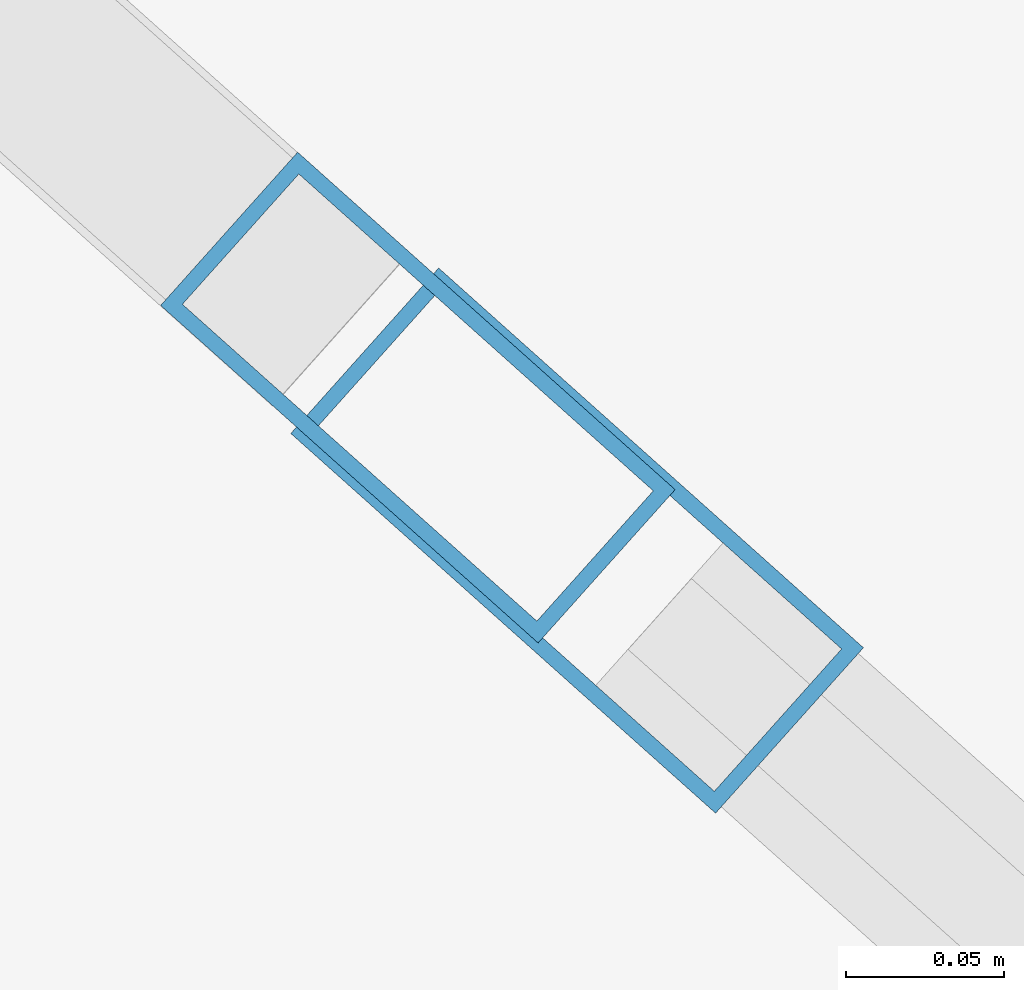
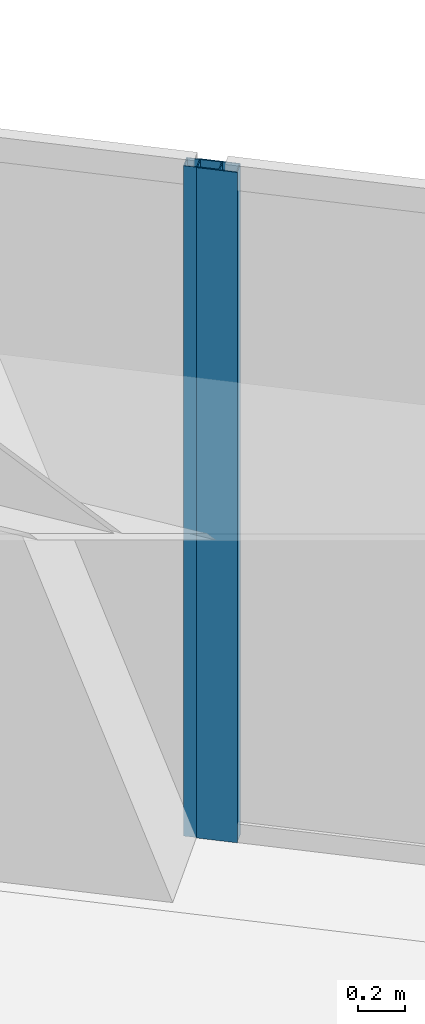
# One storey, part 10 of 24: 2 members, 2 elements without a shape of their own.
"""IFC4 building model written with IfcOpenShell, lengths in metres."""

from ifc_helpers import new_model, si_unit, direction, frame, origin, origin_2d, place, context, subcontext, project, spatial, hollow_rectangle, extrude, material, layer, layer_set, material_profile, profile_set, type_object, element, aggregate, save


model = new_model("IFC4")

# Units and contexts
model_context = context("Model", 3, precision=1e-05, world=origin(), true_north=direction((0.0, 1.0)))
body_context = subcontext(model_context, "Body", "Model", "MODEL_VIEW")
ifc_project = project(units=[si_unit("LENGTHUNIT", "METRE"), si_unit("AREAUNIT", "SQUARE_METRE"), si_unit("VOLUMEUNIT", "CUBIC_METRE"), si_unit("PLANEANGLEUNIT", "RADIAN"), si_unit("MASSUNIT", "GRAM", prefix="KILO")], contexts=[model_context])

# Site, building, storey
site_placement = place(None, origin())
site = spatial("IfcSite", under=ifc_project, at=site_placement, CompositionType="ELEMENT")
building_placement = place(site_placement, origin())
building = spatial("IfcBuilding", under=site, at=building_placement, Name="Qianvela Tower", CompositionType="ELEMENT")
storey_placement = place(building_placement, frame((0.0, 0.0, 71.0)))
storey = spatial("IfcBuildingStorey", under=building, at=storey_placement, Name="L17", CompositionType="ELEMENT", Elevation=71.0)

# Curtain wall, member
ifc_material_1 = material(Name="Anodised Architectural Aluminium and Insulated Spandrel Panel", Category="aluminium")
ifc_layer_1 = layer(ifc_material_1, 0.179931640625)
ifc_layer_set_1 = layer_set([ifc_layer_1], Name="Anodised Architectural Aluminium and Insulated Spandrel Panel")
curtain_wall_type_1 = type_object("IfcCurtainWallType", Name="CW-BRACEBAY", PredefinedType="USERDEFINED", material=ifc_layer_set_1)
curtain_wall_1_placement = place(storey_placement, origin())
curtain_wall_1 = element("IfcCurtainWall", 1, at=curtain_wall_1_placement, inside=storey, type_object=curtain_wall_type_1, Name="L17 CW-BRACEBAY Curtain Wall 02B", ObjectType="CURTAIN_WALL_SYSTEM", PredefinedType="USERDEFINED")
ifc_material_2 = material(Name="Anodised Architectural Aluminium 6063-T6", Category="aluminium")
ifc_material_profile_1 = material_profile(ifc_material_2, hollow_rectangle(XDim=0.06494140625, YDim=0.159912109375, WallThickness=0.0048828125, at=origin_2d()), Name="ALU-MULL-65x160")
ifc_profile_set_1 = profile_set([ifc_material_profile_1], Name="Anodised Architectural Aluminium 6063-T6")
member_type_1 = type_object("IfcMemberType", Name="CW-BRACEBAY-MULL", PredefinedType="MULLION", material=ifc_profile_set_1)
member_1_placement = place(storey_placement, frame((48.352294921875, 33.9072265625, 0.0), z_axis=(0.0, 0.0, 1.0), x_axis=(-0.66643444885, -0.745563629334, 0.0)))
member_1 = element("IfcMember", 2, at=member_1_placement, type_object=member_type_1, Name="CW-9 mullion 1", PredefinedType="MULLION", context=body_context, shape_type="SweptSolid", body=[
    extrude(hollow_rectangle(XDim=0.06494140625, YDim=0.159912109375, WallThickness=0.0048828125, at=origin_2d()), origin(), (0.0, 0.0, 1.0), 3.52001953125),
])
aggregate(curtain_wall_1, [member_1])

ifc_material_3 = material(Name="Anodised Architectural Aluminium and Low-E Glass", Category="aluminium")
ifc_layer_2 = layer(ifc_material_3, 0.179931640625)
ifc_layer_set_2 = layer_set([ifc_layer_2], Name="Anodised Architectural Aluminium and Low-E Glass")
curtain_wall_type_2 = type_object("IfcCurtainWallType", Name="CW-COLIV-Z12", PredefinedType="USERDEFINED", material=ifc_layer_set_2)
curtain_wall_2_placement = place(storey_placement, origin())
curtain_wall_2 = element("IfcCurtainWall", 3, at=curtain_wall_2_placement, inside=storey, type_object=curtain_wall_type_2, Name="L17 CW-COLIV-Z12 Curtain Wall 02A", ObjectType="CURTAIN_WALL_SYSTEM", PredefinedType="USERDEFINED")
ifc_material_4 = material(Name="Anodised Architectural Aluminium 6063-T6", Category="aluminium")
ifc_material_profile_2 = material_profile(ifc_material_4, hollow_rectangle(XDim=0.070068359375, YDim=0.179931640625, WallThickness=0.0048828125, at=origin_2d()), Name="ALU-MULL-70x180")
ifc_profile_set_2 = profile_set([ifc_material_profile_2], Name="Anodised Architectural Aluminium 6063-T6")
member_type_2 = type_object("IfcMemberType", Name="CW-COLIV-Z12-MULL", PredefinedType="MULLION", material=ifc_profile_set_2)
member_2_placement = place(storey_placement, frame((48.402587890625, 33.862060546875, 0.0), z_axis=(0.0, 0.0, 1.0), x_axis=(-0.66644421054, -0.74555490357, 0.0)))
member_2 = element("IfcMember", 4, at=member_2_placement, type_object=member_type_2, Name="CW-3 mullion 3", PredefinedType="MULLION", context=body_context, shape_type="SweptSolid", body=[
    extrude(hollow_rectangle(XDim=0.070068359375, YDim=0.179931640625, WallThickness=0.0048828125, at=origin_2d()), origin(), (0.0, 0.0, 1.0), 3.52001953125),
])
aggregate(curtain_wall_2, [member_2])

save(model, "model.ifc")
